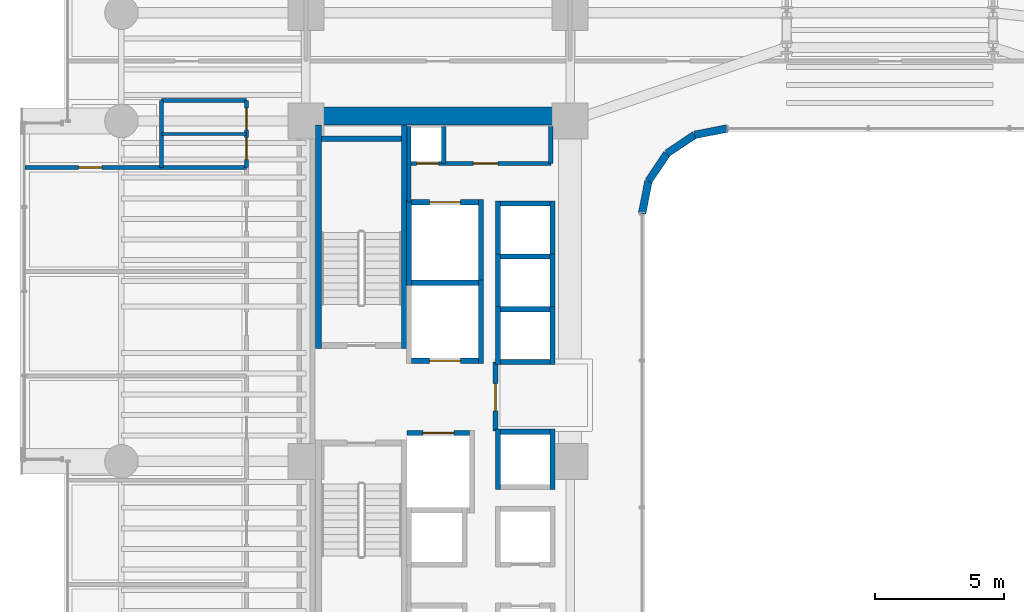
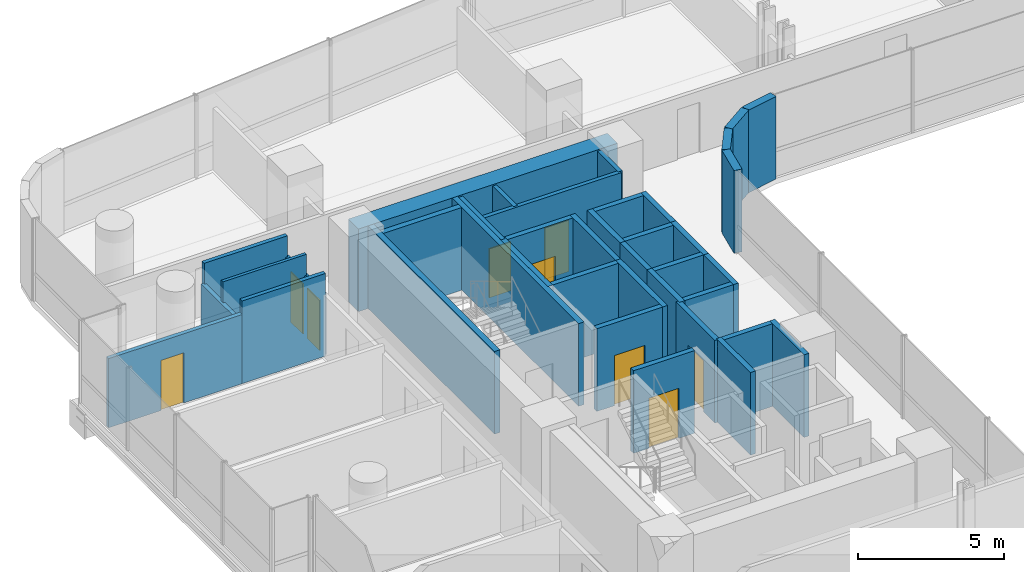
# One storey, part 30 of 38: 39 walls, 9 doors, 9 openings.
"""IFC4 building model written with IfcOpenShell, lengths in metres."""

from ifc_helpers import new_model, si_unit, direction, frame, frame_2d, origin, place, context, subcontext, project, spatial, rectangle, extrude, material, layer, layer_set, type_object, element, fill, save


model = new_model("IFC4")

# Units and contexts
model_context = context("Model", 3, precision=1e-05, world=origin(), true_north=direction((0.0, 1.0)))
body_context = subcontext(model_context, "Body", "Model", "MODEL_VIEW")
ifc_project = project(units=[si_unit("LENGTHUNIT", "METRE"), si_unit("AREAUNIT", "SQUARE_METRE"), si_unit("VOLUMEUNIT", "CUBIC_METRE"), si_unit("PLANEANGLEUNIT", "RADIAN"), si_unit("MASSUNIT", "GRAM", prefix="KILO")], contexts=[model_context])

# Site, building, storey
site_placement = place(None, origin())
site = spatial("IfcSite", under=ifc_project, at=site_placement, CompositionType="ELEMENT")
building_placement = place(site_placement, origin())
building = spatial("IfcBuilding", under=site, at=building_placement, Name="Valdorenza Pilgrim Sanctuary Tower", CompositionType="ELEMENT")
storey_placement = place(building_placement, frame((0.0, 0.0, 37.10009765625)))
storey = spatial("IfcBuildingStorey", under=building, at=storey_placement, Name="L08", CompositionType="ELEMENT", Elevation=37.10009765625)

# Wall
ifc_material_1 = material(Name="Acoustic twin-stud gypsum partition", Category="gypsum")
ifc_layer_1 = layer(ifc_material_1, 0.159912109375, Name="Acoustic twin-stud gypsum partition")
ifc_layer_set_1 = layer_set([ifc_layer_1], Name="Acoustic twin-stud gypsum partition")
wall_type_1 = type_object("IfcWallType", Name="WAL-COR-160", PredefinedType="PARTITIONING", material=ifc_layer_set_1)
wall_1_placement = place(storey_placement, frame((-18.64990234375, 7.449951171875, 0.0), z_axis=(0.0, 0.0, 1.0), x_axis=(0.0, 1.0, 0.0)))
element("IfcWall", 1, at=wall_1_placement, inside=storey, type_object=wall_type_1, Name="L08 Core A North Service West Wall", PredefinedType="PARTITIONING", context=body_context, shape_type="SweptSolid", body=[
    extrude(rectangle(XDim=2.929931640625, YDim=0.159912109375, at=frame_2d((1.46484375, 0.0))), origin(), (0.0, 0.0, 1.0), 3.4599609375),
])

# Wall, openings, doors
wall_2_placement = place(storey_placement, frame((-18.64990234375, 8.949951171875, 0.0), z_axis=(0.0, 0.0, 1.0), x_axis=(1.0, 0.0, 0.0)))
wall_2 = element("IfcWall", 2, at=wall_2_placement, inside=storey, type_object=wall_type_1, Name="L08 Core A North Service South Wall", PredefinedType="PARTITIONING", context=body_context, shape_type="SweptSolid", body=[
    extrude(rectangle(XDim=5.5, YDim=0.159912109375, at=frame_2d((2.75, 0.0))), origin(), (0.0, 0.0, 1.0), 3.4599609375),
])
opening_1_placement = place(wall_2_placement, frame((0.300048828125, 0.0, 0.0)))
opening_1 = element("IfcOpeningElement", 3, at=opening_1_placement, cuts=wall_2, Name="Opening DR-RS1", PredefinedType="OPENING", context=body_context, shape_type="SweptSolid", body=[
    extrude(rectangle(XDim=0.85009765625, YDim=2.050048828125, at=frame_2d((0.425048828125, 1.02490234375))), frame((0.0, 0.0947265625, 0.0), z_axis=(0.0, -1.0, 0.0), x_axis=(1.0, 0.0, 0.0)), (0.0, 0.0, 1.0), 0.189697265625),
])
opening_2_placement = place(wall_2_placement, frame((2.5, 0.0, 0.0)))
opening_2 = element("IfcOpeningElement", 4, at=opening_2_placement, cuts=wall_2, Name="Opening DR-UN1", PredefinedType="OPENING", context=body_context, shape_type="SweptSolid", body=[
    extrude(rectangle(XDim=0.949951171875, YDim=2.14990234375, at=frame_2d((0.47509765625, 1.074951171875))), frame((0.0, 0.0947265625, 0.0), z_axis=(0.0, -1.0, 0.0), x_axis=(1.0, 0.0, 0.0)), (0.0, 0.0, 1.0), 0.189697265625),
])
ifc_material_2 = material(Name="Painted galvanized steel", Category="steel")
door_type_1 = type_object("IfcDoorType", Name="DR-RSR-850", OperationType="NOTDEFINED", PredefinedType="DOOR", material=ifc_material_2)
door_1_placement = place(opening_1_placement, origin())
door_1 = element("IfcDoor", 5, at=door_1_placement, inside=storey, type_object=door_type_1, Name="L08 Core Electrical and Telecom Riser Door", OperationType="SINGLE_SWING_LEFT", OverallHeight=2.050048828125, OverallWidth=0.85009765625, PredefinedType="DOOR", context=body_context, shape_type="SweptSolid", body=[
    extrude(rectangle(XDim=0.85009765625, YDim=2.050048828125, at=frame_2d((0.425048828125, 1.02490234375))), frame((0.0, 0.02490234375, 0.0), z_axis=(0.0, -1.0, 0.0), x_axis=(1.0, 0.0, 0.0)), (0.0, 0.0, 1.0), 0.050048828125),
])
fill(opening_1, door_1)
ifc_material_3 = material(Name="Solid-core European oak timber", Category="wood")
door_type_2 = type_object("IfcDoorType", Name="DR-UNIT-950", OperationType="NOTDEFINED", PredefinedType="DOOR", material=ifc_material_3)
door_2_placement = place(opening_2_placement, origin())
door_2 = element("IfcDoor", 6, at=door_2_placement, inside=storey, type_object=door_type_2, Name="L08 Housekeeping and Clean Linen Room Door", OperationType="SINGLE_SWING_RIGHT", OverallHeight=2.14990234375, OverallWidth=0.949951171875, PredefinedType="DOOR", context=body_context, shape_type="SweptSolid", body=[
    extrude(rectangle(XDim=0.949951171875, YDim=2.14990234375, at=frame_2d((0.47509765625, 1.074951171875))), frame((0.0, 0.02490234375, 0.0), z_axis=(0.0, -1.0, 0.0), x_axis=(1.0, 0.0, 0.0)), (0.0, 0.0, 1.0), 0.050048828125),
])
fill(opening_2, door_2)

# Walls
for number, where, z_axis, x_axis, name in (
    (7, (-13.14990234375, 8.949951171875, 0.0), (0.0, 0.0, 1.0), (0.0, 1.0, 0.0), "L08 Core A North Service East Wall"),
    (8, (-17.300048828125, 8.949951171875, 0.0), (0.0, 0.0, 1.0), (0.0, 1.0, 0.0), "L08 Core Electrical Riser Wall"),
):
    element("IfcWall", number, at=place(storey_placement, frame(where, z_axis=z_axis, x_axis=x_axis)), inside=storey, type_object=wall_type_1, Name=name, PredefinedType="PARTITIONING", context=body_context, shape_type="SweptSolid", body=[
        extrude(rectangle(XDim=1.429931640625, YDim=0.159912109375, at=frame_2d((0.71484375, 0.0))), origin(), (0.0, 0.0, 1.0), 3.4599609375),
    ])
wall_3_placement = place(storey_placement, frame((-28.25, 8.800048828125, 0.0), z_axis=(0.0, 0.0, 1.0), x_axis=(0.0, 1.0, 0.0)))
element("IfcWall", 9, at=wall_3_placement, inside=storey, type_object=wall_type_1, Name="L08 Washroom West Wall", PredefinedType="PARTITIONING", context=body_context, shape_type="SweptSolid", body=[
    extrude(rectangle(XDim=2.599853515625, YDim=0.159912109375, at=frame_2d((1.2998046875, 0.0))), origin(), (0.0, 0.0, 1.0), 2.5830078125),
])

# Wall, openings, doors
wall_4_placement = place(storey_placement, frame((-24.949951171875, 8.800048828125, 0.0), z_axis=(0.0, 0.0, 1.0), x_axis=(0.0, 1.0, 0.0)))
wall_4 = element("IfcWall", 10, at=wall_4_placement, inside=storey, type_object=wall_type_1, Name="L08 Washroom East Wall", PredefinedType="PARTITIONING", context=body_context, shape_type="SweptSolid", body=[
    extrude(rectangle(XDim=2.599853515625, YDim=0.159912109375, at=frame_2d((1.2998046875, 0.0))), origin(), (0.0, 0.0, 1.0), 2.5830078125),
])
opening_3_placement = place(wall_4_placement, frame((0.300048828125, 0.0, 0.0)))
opening_3 = element("IfcOpeningElement", 11, at=opening_3_placement, cuts=wall_4, Name="Opening DR-WC1", PredefinedType="OPENING", context=body_context, shape_type="SweptSolid", body=[
    extrude(rectangle(XDim=0.85009765625, YDim=2.10009765625, at=frame_2d((0.425048828125, 1.050048828125))), frame((0.0, 0.0947265625, 0.0), z_axis=(0.0, -1.0, 0.0), x_axis=(1.0, 0.0, 0.0)), (0.0, 0.0, 1.0), 0.189697265625),
])
opening_4_placement = place(wall_4_placement, frame((1.449951171875, 0.0, 0.0)))
opening_4 = element("IfcOpeningElement", 12, at=opening_4_placement, cuts=wall_4, Name="Opening DR-WC1", PredefinedType="OPENING", context=body_context, shape_type="SweptSolid", body=[
    extrude(rectangle(XDim=0.85009765625, YDim=2.10009765625, at=frame_2d((0.425048828125, 1.050048828125))), frame((0.0, 0.0947265625, 0.0), z_axis=(0.0, -1.0, 0.0), x_axis=(1.0, 0.0, 0.0)), (0.0, 0.0, 1.0), 0.189697265625),
])
ifc_material_4 = material(Name="Moisture-resistant lacquered timber", Category="wood")
door_type_3 = type_object("IfcDoorType", Name="DR-BATH-850", OperationType="NOTDEFINED", PredefinedType="DOOR", material=ifc_material_4)
door_3_placement = place(opening_3_placement, origin())
door_3 = element("IfcDoor", 13, at=door_3_placement, inside=storey, type_object=door_type_3, Name="L08 Accessible Washroom Door", OperationType="SINGLE_SWING_LEFT", OverallHeight=2.10009765625, OverallWidth=0.85009765625, PredefinedType="DOOR", context=body_context, shape_type="SweptSolid", body=[
    extrude(rectangle(XDim=0.85009765625, YDim=2.10009765625, at=frame_2d((0.425048828125, 1.050048828125))), frame((0.0, 0.02490234375, 0.0), z_axis=(0.0, -1.0, 0.0), x_axis=(1.0, 0.0, 0.0)), (0.0, 0.0, 1.0), 0.050048828125),
])
fill(opening_3, door_3)
door_4_placement = place(opening_4_placement, origin())
door_4 = element("IfcDoor", 14, at=door_4_placement, inside=storey, type_object=door_type_3, Name="L08 Public Washroom Door", OperationType="SINGLE_SWING_RIGHT", OverallHeight=2.10009765625, OverallWidth=0.85009765625, PredefinedType="DOOR", context=body_context, shape_type="SweptSolid", body=[
    extrude(rectangle(XDim=0.85009765625, YDim=2.10009765625, at=frame_2d((0.425048828125, 1.050048828125))), frame((0.0, 0.02490234375, 0.0), z_axis=(0.0, -1.0, 0.0), x_axis=(1.0, 0.0, 0.0)), (0.0, 0.0, 1.0), 0.050048828125),
])
fill(opening_4, door_4)

# Walls
for number, where, z_axis, x_axis, name in (
    (15, (-28.25, 8.800048828125, 0.0), (0.0, 0.0, 1.0), (1.0, 0.0, 0.0), "L08 Washroom South Wall"),
    (16, (-28.25, 11.39990234375, 0.0), (0.0, 0.0, 1.0), (1.0, 0.0, 0.0), "L08 Washroom North Wall"),
):
    element("IfcWall", number, at=place(storey_placement, frame(where, z_axis=z_axis, x_axis=x_axis)), inside=storey, type_object=wall_type_1, Name=name, PredefinedType="PARTITIONING", context=body_context, shape_type="SweptSolid", body=[
        extrude(rectangle(XDim=3.300048828125, YDim=0.159912109375, at=frame_2d((1.64990234375, 0.0))), origin(), (0.0, 0.0, 1.0), 3.4599609375),
    ])

# Wall, opening, door
wall_5_placement = place(storey_placement, frame((-33.5400390625, 8.800048828125, 0.0), z_axis=(0.0, 0.0, 1.0), x_axis=(1.0, 0.0, 0.0)))
wall_5 = element("IfcWall", 17, at=wall_5_placement, inside=storey, type_object=wall_type_1, Name="L08 West North Alcove Wall", PredefinedType="PARTITIONING", context=body_context, shape_type="SweptSolid", body=[
    extrude(rectangle(XDim=5.2900390625, YDim=0.159912109375, at=frame_2d((2.64501953125, 0.0))), origin(), (0.0, 0.0, 1.0), 2.89599609375),
])
opening_5_placement = place(wall_5_placement, frame((2.080078125, 0.0, 0.0)))
opening_5 = element("IfcOpeningElement", 18, at=opening_5_placement, cuts=wall_5, Name="Opening DR-RM1", PredefinedType="OPENING", context=body_context, shape_type="SweptSolid", body=[
    extrude(rectangle(XDim=0.89990234375, YDim=2.10009765625, at=frame_2d((0.449951171875, 1.050048828125))), frame((0.0, 0.0947265625, 0.0), z_axis=(0.0, -1.0, 0.0), x_axis=(1.0, 0.0, 0.0)), (0.0, 0.0, 1.0), 0.189697265625),
])
door_type_4 = type_object("IfcDoorType", Name="DR-ROOM-900", OperationType="NOTDEFINED", PredefinedType="DOOR", material=ifc_material_3)
door_5_placement = place(opening_5_placement, frame((0.89990234375, 0.0, 0.0), z_axis=(0.0, 0.0, 1.0), x_axis=(-1.0, 0.0, 0.0)))
door_5 = element("IfcDoor", 19, at=door_5_placement, inside=storey, type_object=door_type_4, Name="L08 Pilgrim Scholar Office L08-WN Door", OperationType="SINGLE_SWING_LEFT", OverallHeight=2.10009765625, OverallWidth=0.89990234375, PredefinedType="DOOR", context=body_context, shape_type="SweptSolid", body=[
    extrude(rectangle(XDim=0.89990234375, YDim=2.10009765625, at=frame_2d((0.449951171875, 1.050048828125))), frame((0.0, 0.02490234375, 0.0), z_axis=(0.0, -1.0, 0.0), x_axis=(1.0, 0.0, 0.0)), (0.0, 0.0, 1.0), 0.050048828125),
])
fill(opening_5, door_5)

# Walls
ifc_material_5 = material(Name="Concrete C60/75", Category="concrete")
ifc_layer_2 = layer(ifc_material_5, 0.699951171875, Name="Concrete C60/75")
ifc_layer_set_2 = layer_set([ifc_layer_2], Name="Concrete C60/75")
wall_type_2 = type_object("IfcWallType", Name="WAL-COR-700", PredefinedType="SHEAR", material=ifc_layer_set_2)
wall_6_placement = place(storey_placement, frame((-22.64990234375, 10.800048828125, 0.0), z_axis=(0.0, 0.0, 1.0), x_axis=(1.0, 0.0, 0.0)))
element("IfcWall", 20, at=wall_6_placement, inside=storey, type_object=wall_type_2, Name="L08 Split Core A Shear Wall N", PredefinedType="SHEAR", context=body_context, shape_type="SweptSolid", body=[
    extrude(rectangle(XDim=10.25, YDim=0.699951171875, at=frame_2d((5.125, 0.0))), origin(), (0.0, 0.0, 1.0), 3.4599609375),
])
ifc_material_6 = material(Name="Honed travertine limestone", Category="masonry")
ifc_layer_3 = layer(ifc_material_6, 0.300048828125, Name="Honed travertine limestone")
ifc_layer_set_3 = layer_set([ifc_layer_3], Name="Honed travertine limestone")
wall_type_3 = type_object("IfcWallType", Name="WAL-EXT-300", PredefinedType="SOLIDWALL", material=ifc_layer_set_3)
wall_7_placement = place(storey_placement, frame((-6.310791015625, 10.31005859375, 0.0), z_axis=(0.0, 0.0, 1.0), x_axis=(-0.980778058848, -0.195126623715, 0.0)))
element("IfcWall", 21, at=wall_7_placement, inside=storey, type_object=wall_type_3, Name="L08 Rounded Wind-Corner Stone Pier 37", PredefinedType="SOLIDWALL", context=body_context, shape_type="SweptSolid", body=[
    extrude(rectangle(XDim=1.28125, YDim=0.300048828125, at=frame_2d((0.640625, 0.0))), origin(), (0.0, 0.0, 1.0), 3.4599609375),
])
wall_8_placement = place(storey_placement, frame((-7.5673828125, 10.06005859375, 0.0), z_axis=(0.0, 0.0, 1.0), x_axis=(-0.831497739511, -0.555528135371, 0.0)))
element("IfcWall", 22, at=wall_8_placement, inside=storey, type_object=wall_type_3, Name="L08 Rounded Wind-Corner Stone Pier 38", PredefinedType="SOLIDWALL", context=body_context, shape_type="SweptSolid", body=[
    extrude(rectangle(XDim=1.29248046875, YDim=0.300048828125, at=frame_2d((0.646240234375, 0.0))), origin(), (0.0, 0.0, 1.0), 3.4599609375),
])
wall_9_placement = place(storey_placement, frame((-8.64208984375, 9.342041015625, 0.0), z_axis=(0.0, 0.0, 1.0), x_axis=(-0.555615398575, -0.831439431869, 0.0)))
element("IfcWall", 23, at=wall_9_placement, inside=storey, type_object=wall_type_3, Name="L08 Rounded Wind-Corner Stone Pier 39", PredefinedType="SOLIDWALL", context=body_context, shape_type="SweptSolid", body=[
    extrude(rectangle(XDim=1.292236328125, YDim=0.300048828125, at=frame_2d((0.64599609375, 0.0))), origin(), (0.0, 0.0, 1.0), 3.4599609375),
])
wall_10_placement = place(storey_placement, frame((-9.360107421875, 8.267578125, 0.0), z_axis=(0.0, 0.0, 1.0), x_axis=(-0.195090163074, -0.980785312019, 0.0)))
element("IfcWall", 24, at=wall_10_placement, inside=storey, type_object=wall_type_3, Name="L08 Rounded Wind-Corner Stone Pier 40", PredefinedType="SOLIDWALL", context=body_context, shape_type="SweptSolid", body=[
    extrude(rectangle(XDim=1.281494140625, YDim=0.300048828125, at=frame_2d((0.640625, 0.0))), origin(), (0.0, 0.0, 1.0), 3.4599609375),
])

# Wall, opening, door
ifc_material_7 = material(Name="Gypsum shaftwall partition", Category="gypsum")
ifc_layer_4 = layer(ifc_material_7, 0.199951171875, Name="Gypsum shaftwall partition")
ifc_layer_set_4 = layer_set([ifc_layer_4], Name="Gypsum shaftwall partition")
wall_type_4 = type_object("IfcWallType", Name="WAL-FFL-200", PredefinedType="PARTITIONING", material=ifc_layer_set_4)
wall_11_placement = place(storey_placement, frame((-15.300048828125, -1.419921875, 0.0), z_axis=(0.0, 0.0, 1.0), x_axis=(0.0, 1.0, 0.0)))
wall_11 = element("IfcWall", 25, at=wall_11_placement, inside=storey, type_object=wall_type_4, Name="L08 Core A Firefighting Lobby East Wall", PredefinedType="PARTITIONING", context=body_context, shape_type="SweptSolid", body=[
    extrude(rectangle(XDim=2.669921875, YDim=0.199951171875, at=frame_2d((1.3349609375, 0.0))), origin(), (0.0, 0.0, 1.0), 3.4599609375),
])
opening_6_placement = place(wall_11_placement, frame((0.780029296875, 0.0, 0.0)))
opening_6 = element("IfcOpeningElement", 26, at=opening_6_placement, cuts=wall_11, Name="Opening DR-FL1", PredefinedType="OPENING", context=body_context, shape_type="SweptSolid", body=[
    extrude(rectangle(XDim=1.050048828125, YDim=2.14990234375, at=frame_2d((0.52490234375, 1.074951171875))), frame((0.0, 0.11474609375, 0.0), z_axis=(0.0, -1.0, 0.0), x_axis=(1.0, 0.0, 0.0)), (0.0, 0.0, 1.0), 0.229736328125),
])
door_type_5 = type_object("IfcDoorType", Name="DR-FFL-1050", OperationType="NOTDEFINED", PredefinedType="DOOR", material=ifc_material_2)
door_6_placement = place(opening_6_placement, origin())
door_6 = element("IfcDoor", 27, at=door_6_placement, inside=storey, type_object=door_type_5, Name="L08 Core A Firefighting Lobby Door", OperationType="SINGLE_SWING_RIGHT", OverallHeight=2.14990234375, OverallWidth=1.050048828125, PredefinedType="DOOR", context=body_context, shape_type="SweptSolid", body=[
    extrude(rectangle(XDim=1.050048828125, YDim=2.14990234375, at=frame_2d((0.52490234375, 1.074951171875))), frame((0.0, 0.02490234375, 0.0), z_axis=(0.0, -1.0, 0.0), x_axis=(1.0, 0.0, 0.0)), (0.0, 0.0, 1.0), 0.050048828125),
])
fill(opening_6, door_6)

# Walls
ifc_material_8 = material(Name="Moisture-resistant gypsum partition", Category="gypsum")
ifc_layer_5 = layer(ifc_material_8, 0.1201171875, Name="Moisture-resistant gypsum partition")
ifc_layer_set_5 = layer_set([ifc_layer_5], Name="Moisture-resistant gypsum partition")
wall_type_5 = type_object("IfcWallType", Name="WAL-INT-120", PredefinedType="PARTITIONING", material=ifc_layer_set_5)
wall_12_placement = place(storey_placement, frame((-28.25, 10.10009765625, 0.0), z_axis=(0.0, 0.0, 1.0), x_axis=(1.0, 0.0, 0.0)))
element("IfcWall", 28, at=wall_12_placement, inside=storey, type_object=wall_type_5, Name="L08 Washroom Divider Wall", PredefinedType="PARTITIONING", context=body_context, shape_type="SweptSolid", body=[
    extrude(rectangle(XDim=3.300048828125, YDim=0.1201171875, at=frame_2d((1.64990234375, 0.0))), origin(), (0.0, 0.0, 1.0), 3.4599609375),
])
ifc_material_9 = material(Name="Autoclaved aerated concrete blockwork", Category="masonry")
ifc_layer_6 = layer(ifc_material_9, 0.199951171875, Name="Autoclaved aerated concrete blockwork")
ifc_layer_set_6 = layer_set([ifc_layer_6], Name="Autoclaved aerated concrete blockwork")
wall_type_6 = type_object("IfcWallType", Name="WAL-SHF-200", PredefinedType="MOVABLE", material=ifc_layer_set_6)
wall_13_placement = place(storey_placement, frame((-15.85009765625, 1.199951171875, 0.0), z_axis=(0.0, 0.0, 1.0), x_axis=(0.0, 1.0, 0.0)))
element("IfcWall", 29, at=wall_13_placement, inside=storey, type_object=wall_type_6, Name="L08 Lift FFL-01 Hoistway Wall East", PredefinedType="MOVABLE", context=body_context, shape_type="SweptSolid", body=[
    extrude(rectangle(XDim=3.22509765625, YDim=0.199951171875, at=frame_2d((1.612548828125, 0.0))), origin(), (0.0, 0.0, 1.0), 3.4599609375),
])

# Wall, opening, door
wall_14_placement = place(storey_placement, frame((-18.550048828125, 1.300048828125, 0.0), z_axis=(0.0, 0.0, 1.0), x_axis=(1.0, 0.0, 0.0)))
wall_14 = element("IfcWall", 30, at=wall_14_placement, inside=storey, type_object=wall_type_6, Name="L08 Lift FFL-01 Hoistway Wall South", PredefinedType="MOVABLE", context=body_context, shape_type="SweptSolid", body=[
    extrude(rectangle(XDim=2.60009765625, YDim=0.199951171875, at=frame_2d((1.300048828125, 0.0))), origin(), (0.0, 0.0, 1.0), 3.4599609375),
])
opening_7_placement = place(wall_14_placement, frame((0.699951171875, 0.0, 0.0)))
opening_7 = element("IfcOpeningElement", 31, at=opening_7_placement, cuts=wall_14, Name="Opening LD-02", PredefinedType="OPENING", context=body_context, shape_type="SweptSolid", body=[
    extrude(rectangle(XDim=1.199951171875, YDim=2.10009765625, at=frame_2d((0.60009765625, 1.050048828125))), frame((0.0, 0.11474609375, 0.0), z_axis=(0.0, -1.0, 0.0), x_axis=(1.0, 0.0, 0.0)), (0.0, 0.0, 1.0), 0.229736328125),
])
ifc_material_10 = material(Name="Brushed stainless steel Grade 316", Category="steel")
door_type_6 = type_object("IfcDoorType", Name="DR-LFT-1200", OperationType="DOUBLE_DOOR_SLIDING", PredefinedType="DOOR", material=ifc_material_10)
door_7_placement = place(opening_7_placement, origin())
door_7 = element("IfcDoor", 32, at=door_7_placement, inside=storey, type_object=door_type_6, Name="L08 Lift FFL-01 Sliding Landing Door", OperationType="DOUBLE_DOOR_SLIDING", OverallHeight=2.10009765625, OverallWidth=1.199951171875, PredefinedType="DOOR", context=body_context, shape_type="SweptSolid", body=[
    extrude(rectangle(XDim=1.199951171875, YDim=2.10009765625, at=frame_2d((0.60009765625, 1.050048828125))), frame((0.0, 0.02490234375, 0.0), z_axis=(0.0, -1.0, 0.0), x_axis=(1.0, 0.0, 0.0)), (0.0, 0.0, 1.0), 0.050048828125),
])
fill(opening_7, door_7)

# Wall
wall_15_placement = place(storey_placement, frame((-18.550048828125, 4.324951171875, 0.0), z_axis=(0.0, 0.0, 1.0), x_axis=(1.0, 0.0, 0.0)))
element("IfcWall", 33, at=wall_15_placement, inside=storey, type_object=wall_type_6, Name="L08 Lift FFL-01 Hoistway Wall North", PredefinedType="MOVABLE", context=body_context, shape_type="SweptSolid", body=[
    extrude(rectangle(XDim=2.60009765625, YDim=0.199951171875, at=frame_2d((1.300048828125, 0.0))), origin(), (0.0, 0.0, 1.0), 3.4599609375),
])

# Wall, opening, door
wall_16_placement = place(storey_placement, frame((-18.719970703125, -1.5, 0.0), z_axis=(0.0, 0.0, 1.0), x_axis=(1.0, 0.0, 0.0)))
wall_16 = element("IfcWall", 34, at=wall_16_placement, inside=storey, type_object=wall_type_6, Name="L08 Lift FFL-02 Hoistway Wall North", PredefinedType="MOVABLE", context=body_context, shape_type="SweptSolid", body=[
    extrude(rectangle(XDim=2.419921875, YDim=0.199951171875, at=frame_2d((1.2099609375, 0.0))), origin(), (0.0, 0.0, 1.0), 3.4599609375),
])
opening_8_placement = place(wall_16_placement, frame((0.610107421875, 0.0, 0.0)))
opening_8 = element("IfcOpeningElement", 35, at=opening_8_placement, cuts=wall_16, Name="Opening LD-02", PredefinedType="OPENING", context=body_context, shape_type="SweptSolid", body=[
    extrude(rectangle(XDim=1.199951171875, YDim=2.10009765625, at=frame_2d((0.60009765625, 1.050048828125))), frame((0.0, 0.11474609375, 0.0), z_axis=(0.0, -1.0, 0.0), x_axis=(1.0, 0.0, 0.0)), (0.0, 0.0, 1.0), 0.229736328125),
])
door_8_placement = place(opening_8_placement, origin())
door_8 = element("IfcDoor", 36, at=door_8_placement, inside=storey, type_object=door_type_6, Name="L08 Lift FFL-02 Sliding Landing Door", OperationType="DOUBLE_DOOR_SLIDING", OverallHeight=2.10009765625, OverallWidth=1.199951171875, PredefinedType="DOOR", context=body_context, shape_type="SweptSolid", body=[
    extrude(rectangle(XDim=1.199951171875, YDim=2.10009765625, at=frame_2d((0.60009765625, 1.050048828125))), frame((0.0, 0.02490234375, 0.0), z_axis=(0.0, -1.0, 0.0), x_axis=(1.0, 0.0, 0.0)), (0.0, 0.0, 1.0), 0.050048828125),
])
fill(opening_8, door_8)

# Walls
for number, where, z_axis, x_axis, name in (
    (37, (-18.64990234375, 4.22509765625, 0.0), (0.0, 0.0, 1.0), (0.0, 1.0, 0.0), "L08 Lift SVL-01 Hoistway Wall West"),
    (38, (-15.85009765625, 4.22509765625, 0.0), (0.0, 0.0, 1.0), (0.0, 1.0, 0.0), "L08 Lift SVL-01 Hoistway Wall East"),
):
    element("IfcWall", number, at=place(storey_placement, frame(where, z_axis=z_axis, x_axis=x_axis)), inside=storey, type_object=wall_type_6, Name=name, PredefinedType="MOVABLE", context=body_context, shape_type="SweptSolid", body=[
        extrude(rectangle(XDim=3.324951171875, YDim=0.199951171875, at=frame_2d((1.66259765625, 0.0))), origin(), (0.0, 0.0, 1.0), 3.4599609375),
    ])

# Wall, opening, door
wall_17_placement = place(storey_placement, frame((-18.550048828125, 7.449951171875, 0.0), z_axis=(0.0, 0.0, 1.0), x_axis=(1.0, 0.0, 0.0)))
wall_17 = element("IfcWall", 39, at=wall_17_placement, inside=storey, type_object=wall_type_6, Name="L08 Lift SVL-01 Hoistway Wall North", PredefinedType="MOVABLE", context=body_context, shape_type="SweptSolid", body=[
    extrude(rectangle(XDim=2.60009765625, YDim=0.199951171875, at=frame_2d((1.300048828125, 0.0))), origin(), (0.0, 0.0, 1.0), 3.4599609375),
])
opening_9_placement = place(wall_17_placement, frame((0.699951171875, 0.0, 0.0)))
opening_9 = element("IfcOpeningElement", 40, at=opening_9_placement, cuts=wall_17, Name="Opening LD-02", PredefinedType="OPENING", context=body_context, shape_type="SweptSolid", body=[
    extrude(rectangle(XDim=1.199951171875, YDim=2.10009765625, at=frame_2d((0.60009765625, 1.050048828125))), frame((0.0, 0.11474609375, 0.0), z_axis=(0.0, -1.0, 0.0), x_axis=(1.0, 0.0, 0.0)), (0.0, 0.0, 1.0), 0.229736328125),
])
door_9_placement = place(opening_9_placement, origin())
door_9 = element("IfcDoor", 41, at=door_9_placement, inside=storey, type_object=door_type_6, Name="L08 Lift SVL-01 Sliding Landing Door", OperationType="DOUBLE_DOOR_SLIDING", OverallHeight=2.10009765625, OverallWidth=1.199951171875, PredefinedType="DOOR", context=body_context, shape_type="SweptSolid", body=[
    extrude(rectangle(XDim=1.199951171875, YDim=2.10009765625, at=frame_2d((0.60009765625, 1.050048828125))), frame((0.0, 0.02490234375, 0.0), z_axis=(0.0, -1.0, 0.0), x_axis=(1.0, 0.0, 0.0)), (0.0, 0.0, 1.0), 0.050048828125),
])
fill(opening_9, door_9)

# Walls
for number, where, z_axis, x_axis, name in (
    (42, (-15.199951171875, 1.14990234375, 0.0), (0.0, 0.0, 1.0), (0.0, 1.0, 0.0), "L08 Lift PL-06 Hoistway Wall West"),
    (43, (-13.080078125, 1.14990234375, 0.0), (0.0, 0.0, 1.0), (0.0, 1.0, 0.0), "L08 Lift PL-06 Hoistway Wall East"),
):
    element("IfcWall", number, at=place(storey_placement, frame(where, z_axis=z_axis, x_axis=x_axis)), inside=storey, type_object=wall_type_6, Name=name, PredefinedType="MOVABLE", context=body_context, shape_type="SweptSolid", body=[
        extrude(rectangle(XDim=2.25, YDim=0.199951171875, at=frame_2d((1.125, 0.0))), origin(), (0.0, 0.0, 1.0), 3.4599609375),
    ])
wall_18_placement = place(storey_placement, frame((-15.10009765625, 1.25, 0.0), z_axis=(0.0, 0.0, 1.0), x_axis=(1.0, 0.0, 0.0)))
element("IfcWall", 44, at=wall_18_placement, inside=storey, type_object=wall_type_6, Name="L08 Lift PL-06 Hoistway Wall South", PredefinedType="MOVABLE", context=body_context, shape_type="SweptSolid", body=[
    extrude(rectangle(XDim=1.920166015625, YDim=0.199951171875, at=frame_2d((0.9599609375, 0.0))), origin(), (0.0, 0.0, 1.0), 3.4599609375),
])
for number, where, z_axis, x_axis, name in (
    (45, (-15.199951171875, 3.199951171875, 0.0), (0.0, 0.0, 1.0), (0.0, 1.0, 0.0), "L08 Lift PL-09 Hoistway Wall West"),
    (46, (-13.080078125, 3.199951171875, 0.0), (0.0, 0.0, 1.0), (0.0, 1.0, 0.0), "L08 Lift PL-09 Hoistway Wall East"),
):
    element("IfcWall", number, at=place(storey_placement, frame(where, z_axis=z_axis, x_axis=x_axis)), inside=storey, type_object=wall_type_6, Name=name, PredefinedType="MOVABLE", context=body_context, shape_type="SweptSolid", body=[
        extrude(rectangle(XDim=2.25, YDim=0.199951171875, at=frame_2d((1.125, 0.0))), origin(), (0.0, 0.0, 1.0), 3.4599609375),
    ])
for number, where, z_axis, x_axis, name in (
    (47, (-15.10009765625, 3.300048828125, 0.0), (0.0, 0.0, 1.0), (1.0, 0.0, 0.0), "L08 Lift PL-09 Hoistway Wall South"),
    (48, (-15.10009765625, 5.35009765625, 0.0), (0.0, 0.0, 1.0), (1.0, 0.0, 0.0), "L08 Lift PL-09 Hoistway Wall North"),
):
    element("IfcWall", number, at=place(storey_placement, frame(where, z_axis=z_axis, x_axis=x_axis)), inside=storey, type_object=wall_type_6, Name=name, PredefinedType="MOVABLE", context=body_context, shape_type="SweptSolid", body=[
        extrude(rectangle(XDim=1.920166015625, YDim=0.199951171875, at=frame_2d((0.9599609375, 0.0))), origin(), (0.0, 0.0, 1.0), 3.4599609375),
    ])
for number, where, z_axis, x_axis, name in (
    (49, (-15.199951171875, 5.25, 0.0), (0.0, 0.0, 1.0), (0.0, 1.0, 0.0), "L08 Lift PL-10 Hoistway Wall West"),
    (50, (-13.080078125, 5.25, 0.0), (0.0, 0.0, 1.0), (0.0, 1.0, 0.0), "L08 Lift PL-10 Hoistway Wall East"),
):
    element("IfcWall", number, at=place(storey_placement, frame(where, z_axis=z_axis, x_axis=x_axis)), inside=storey, type_object=wall_type_6, Name=name, PredefinedType="MOVABLE", context=body_context, shape_type="SweptSolid", body=[
        extrude(rectangle(XDim=2.25, YDim=0.199951171875, at=frame_2d((1.125, 0.0))), origin(), (0.0, 0.0, 1.0), 3.4599609375),
    ])
wall_19_placement = place(storey_placement, frame((-15.10009765625, 7.39990234375, 0.0), z_axis=(0.0, 0.0, 1.0), x_axis=(1.0, 0.0, 0.0)))
element("IfcWall", 51, at=wall_19_placement, inside=storey, type_object=wall_type_6, Name="L08 Lift PL-10 Hoistway Wall North", PredefinedType="MOVABLE", context=body_context, shape_type="SweptSolid", body=[
    extrude(rectangle(XDim=1.920166015625, YDim=0.199951171875, at=frame_2d((0.9599609375, 0.0))), origin(), (0.0, 0.0, 1.0), 3.4599609375),
])
for number, where, z_axis, x_axis, name in (
    (52, (-15.199951171875, -3.699951171875, 0.0), (0.0, 0.0, 1.0), (0.0, 1.0, 0.0), "L08 Lift PL-12 Hoistway Wall West"),
    (53, (-13.080078125, -3.699951171875, 0.0), (0.0, 0.0, 1.0), (0.0, 1.0, 0.0), "L08 Lift PL-12 Hoistway Wall East"),
):
    element("IfcWall", number, at=place(storey_placement, frame(where, z_axis=z_axis, x_axis=x_axis)), inside=storey, type_object=wall_type_6, Name=name, PredefinedType="MOVABLE", context=body_context, shape_type="SweptSolid", body=[
        extrude(rectangle(XDim=2.349853515625, YDim=0.199951171875, at=frame_2d((1.1748046875, 0.0))), origin(), (0.0, 0.0, 1.0), 3.4599609375),
    ])
wall_20_placement = place(storey_placement, frame((-15.10009765625, -1.449951171875, 0.0), z_axis=(0.0, 0.0, 1.0), x_axis=(1.0, 0.0, 0.0)))
element("IfcWall", 54, at=wall_20_placement, inside=storey, type_object=wall_type_6, Name="L08 Lift PL-12 Hoistway Wall North", PredefinedType="MOVABLE", context=body_context, shape_type="SweptSolid", body=[
    extrude(rectangle(XDim=1.920166015625, YDim=0.199951171875, at=frame_2d((0.9599609375, 0.0))), origin(), (0.0, 0.0, 1.0), 3.4599609375),
])
ifc_material_11 = material(Name="Concrete C40/50", Category="concrete")
ifc_layer_7 = layer(ifc_material_11, 0.219970703125, Name="Concrete C40/50")
ifc_layer_set_7 = layer_set([ifc_layer_7], Name="Concrete C40/50")
wall_type_7 = type_object("IfcWallType", Name="WAL-STR-SHF-220", PredefinedType="SHEAR", material=ifc_layer_set_7)
for number, where, z_axis, x_axis, name in (
    (55, (-22.159912109375, 1.780029296875, 0.0), (0.0, 0.0, 1.0), (0.0, 1.0, 0.0), "L08 ST-A1 Structural Stairwell Wall W"),
    (56, (-18.830078125, 1.780029296875, 0.0), (0.0, 0.0, 1.0), (0.0, 1.0, 0.0), "L08 ST-A1 Structural Stairwell Wall E"),
):
    element("IfcWall", number, at=place(storey_placement, frame(where, z_axis=z_axis, x_axis=x_axis)), inside=storey, type_object=wall_type_7, Name=name, PredefinedType="SHEAR", context=body_context, shape_type="SweptSolid", body=[
        extrude(rectangle(XDim=8.669921875, YDim=0.219970703125, at=frame_2d((4.3349609375, 0.0))), origin(), (0.0, 0.0, 1.0), 3.4599609375),
    ])
wall_21_placement = place(storey_placement, frame((-22.050048828125, 9.909912109375, 0.0), z_axis=(0.0, 0.0, 1.0), x_axis=(1.0, 0.0, 0.0)))
element("IfcWall", 57, at=wall_21_placement, inside=storey, type_object=wall_type_7, Name="L08 ST-A1 Structural Stairwell Wall N", PredefinedType="SHEAR", context=body_context, shape_type="SweptSolid", body=[
    extrude(rectangle(XDim=3.110107421875, YDim=0.219970703125, at=frame_2d((1.55517578125, 0.0))), origin(), (0.0, 0.0, 1.0), 3.4599609375),
])

save(model, "model.ifc")
